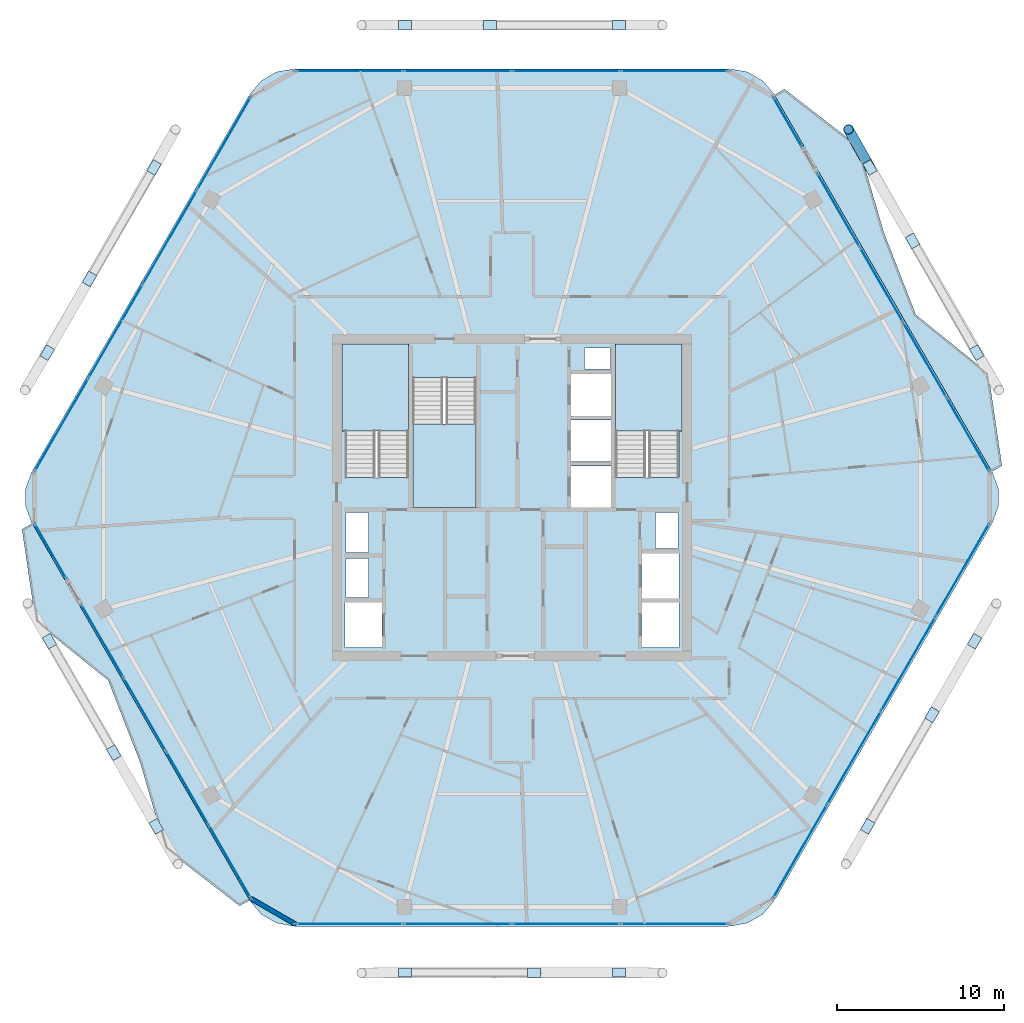
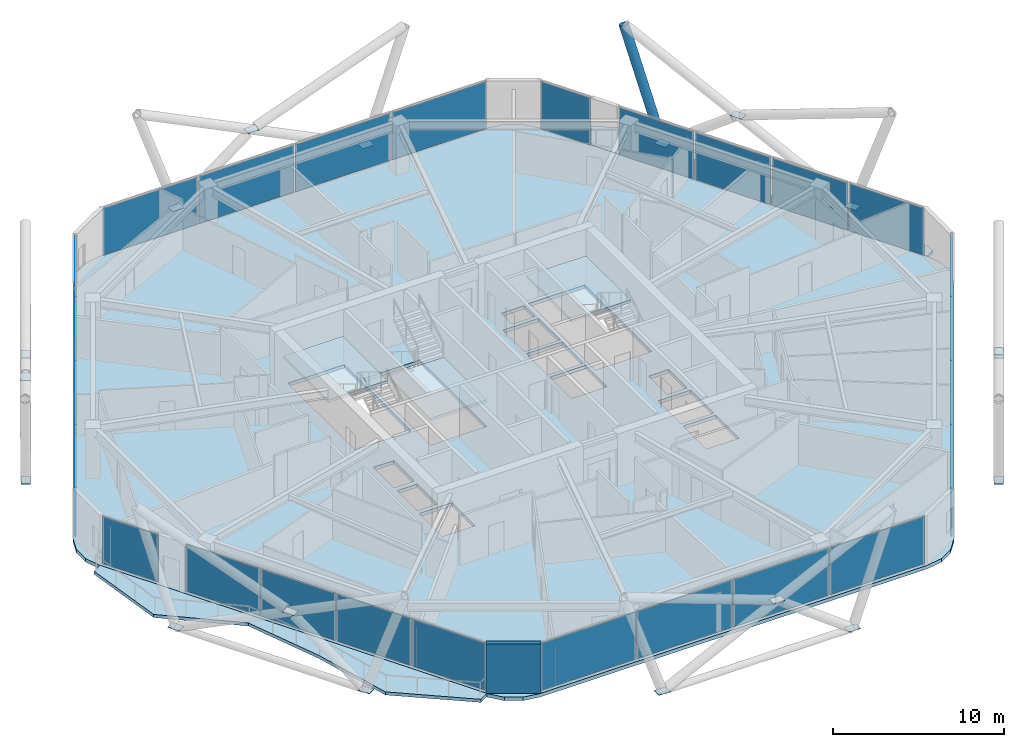
# One storey, part 19 of 27: 44 plates, 6 slabs, 1 member, 1 wall, 11 elements without a shape of their own.
"""IFC4 building model written with IfcOpenShell, lengths in metres."""

from ifc_helpers import new_model, si_unit, direction, frame, frame_2d, origin, origin_2d, place, context, subcontext, project, spatial, polyline, rectangle, hollow_circle, outline, extrude, material, layer, layer_set, material_profile, profile_set, type_object, element, aggregate, save


model = new_model("IFC4")

# Units and contexts
model_context = context("Model", 3, precision=1e-05, world=origin(), true_north=direction((0.0, 1.0)))
body_context = subcontext(model_context, "Body", "Model", "MODEL_VIEW")
ifc_project = project(units=[si_unit("LENGTHUNIT", "METRE"), si_unit("AREAUNIT", "SQUARE_METRE"), si_unit("VOLUMEUNIT", "CUBIC_METRE"), si_unit("PLANEANGLEUNIT", "RADIAN"), si_unit("MASSUNIT", "GRAM", prefix="KILO")], contexts=[model_context])

# Site, building, storey
site_placement = place(None, origin())
site = spatial("IfcSite", under=ifc_project, at=site_placement, CompositionType="ELEMENT")
building_placement = place(site_placement, origin())
building = spatial("IfcBuilding", under=site, at=building_placement, Name="Zuhravey Tower", CompositionType="ELEMENT")
storey_placement = place(building_placement, frame((0.0, 0.0, 238.800048828125)))
storey = spatial("IfcBuildingStorey", under=building, at=storey_placement, Name="L60", CompositionType="ELEMENT", Elevation=238.800048828125)

# Member
ifc_material_1 = material(Name="Steel SM355", Category="steel")
ifc_material_profile = material_profile(ifc_material_1, hollow_circle(Radius=0.3046875, WallThickness=0.028076171875, at=origin_2d()), Name="CHS-609.6x28")
ifc_profile_set = profile_set([ifc_material_profile], Name="Steel SM355")
member_type = type_object("IfcMemberType", Name="Exoskeleton Zone 3 Diagrid CHS610x28", PredefinedType="BRACE", material=ifc_profile_set)
member_placement = place(storey_placement, frame((57.451904296875, 51.79150390625, -0.446044921875), z_axis=(-0.159795415744, 0.28422652237, 0.945346872364), x_axis=(-0.871682978645, -0.490070183485, 0.0)))
element("IfcMember", 1, at=member_placement, inside=storey, type_object=member_type, Name="L60 Face 1 Diagrid Brace 4", PredefinedType="BRACE", context=body_context, shape_type="SweptSolid", body=[
    extrude(hollow_circle(Radius=0.3046875, WallThickness=0.028076171875, at=origin_2d()), origin(), (0.0, 0.0, 1.0), 8.001220703125),
])

# Plates
ifc_material_2 = material(Name="Steel SM460", Category="steel")
ifc_layer_1 = layer(ifc_material_2, 0.031982421875)
ifc_layer_set_1 = layer_set([ifc_layer_1], Name="Steel SM460")
plate_type_1 = type_object("IfcPlateType", Name="Exoskeleton Zone 3 Node Plate ND3", PredefinedType="SHEET", material=ifc_layer_set_1)
for number, where, z_axis, x_axis, name in (
    (2, (63.86279296875, 40.6875, -0.47998046875), (0.0, 0.0, 1.0), (-0.5, 0.866025403784, 0.0), "L60 Exoskeleton Node Gusset L60-01"),
    (3, (57.455078125, 51.785888671875, -0.47998046875), (0.0, 0.0, 1.0), (-0.5, 0.866025403784, 0.0), "L60 Exoskeleton Node Gusset L60-02"),
    (4, (42.40771484375, 60.323486328125, -0.47998046875), (0.0, 0.0, 1.0), (-1.0, 0.0, 0.0), "L60 Exoskeleton Node Gusset L60-03"),
    (5, (29.59228515625, 60.323486328125, -0.47998046875), (0.0, 0.0, 1.0), (-1.0, 0.0, 0.0), "L60 Exoskeleton Node Gusset L60-04"),
    (6, (14.544921875, 51.785888671875, -0.47998046875), (0.0, 0.0, 1.0), (-0.5, -0.866025403784, 0.0), "L60 Exoskeleton Node Gusset L60-05"),
    (7, (8.13720703125, 40.6875, -0.47998046875), (0.0, 0.0, 1.0), (-0.5, -0.866025403784, 0.0), "L60 Exoskeleton Node Gusset L60-06"),
    (8, (8.26708984375, 23.387451171875, -0.47998046875), (0.0, 0.0, 1.0), (0.5, -0.866025403784, 0.0), "L60 Exoskeleton Node Gusset L60-07"),
    (9, (14.6748046875, 12.2890625, -0.47998046875), (0.0, 0.0, 1.0), (0.5, -0.866025403784, 0.0), "L60 Exoskeleton Node Gusset L60-08"),
    (10, (29.59228515625, 3.5263671875, -0.47998046875), (0.0, 0.0, 1.0), (1.0, 0.0, 0.0), "L60 Exoskeleton Node Gusset L60-09"),
    (11, (42.40771484375, 3.5263671875, -0.47998046875), (0.0, 0.0, 1.0), (1.0, 0.0, 0.0), "L60 Exoskeleton Node Gusset L60-10"),
    (12, (57.3251953125, 12.2890625, -0.47998046875), (0.0, 0.0, 1.0), (0.5, 0.866025403784, 0.0), "L60 Exoskeleton Node Gusset L60-11"),
    (13, (63.73291015625, 23.387451171875, -0.47998046875), (0.0, 0.0, 1.0), (0.5, 0.866025403784, 0.0), "L60 Exoskeleton Node Gusset L60-12"),
    (14, (60.0166015625, 47.37939453125, 3.31982421875), (0.0, 0.0, 1.0), (-0.5, 0.866025403784, 0.0), "L60 Face 1 Diagrid X-Crossing Plate"),
    (15, (34.689208984375, 60.323486328125, 3.31982421875), (0.0, 0.0, 1.0), (-1.0, 0.0, 0.0), "L60 Face 2 Diagrid X-Crossing Plate"),
    (16, (10.6728515625, 45.109375, 3.31982421875), (0.0, 0.0, 1.0), (-0.5, -0.866025403784, 0.0), "L60 Face 3 Diagrid X-Crossing Plate"),
    (17, (12.12646484375, 16.703125, 3.31982421875), (0.0, 0.0, 1.0), (0.5, -0.866025403784, 0.0), "L60 Face 4 Diagrid X-Crossing Plate"),
    (18, (37.310791015625, 3.511474609375, 3.31982421875), (0.0, 0.0, 1.0), (1.0, 0.0, 0.0), "L60 Face 5 Diagrid X-Crossing Plate"),
    (19, (61.184326171875, 18.973388671875, 3.31982421875), (0.0, 0.0, 1.0), (0.5, 0.866025403784, 0.0), "L60 Face 6 Diagrid X-Crossing Plate"),
):
    element("IfcPlate", number, at=place(storey_placement, frame(where, z_axis=z_axis, x_axis=x_axis)), inside=storey, type_object=plate_type_1, Name=name, PredefinedType="SHEET", context=body_context, shape_type="SweptSolid", body=[
        extrude(rectangle(XDim=0.780029296875, YDim=0.56005859375, at=origin_2d()), origin(), (0.0, 0.0, 1.0), 0.031982421875),
    ])

# Slabs
ifc_material_3 = material(Name="Concrete C50/60", Category="concrete")
ifc_layer_2 = layer(ifc_material_3, 0.25)
ifc_layer_set_2 = layer_set([ifc_layer_2], Name="Concrete C50/60")
slab_type_1 = type_object("IfcSlabType", Name="Residential Acoustic Slab 250", PredefinedType="FLOOR", material=ifc_layer_set_2)
slab_1_placement = place(storey_placement, frame((0.0, 0.0, -0.25)))
element("IfcSlab", 20, at=slab_1_placement, inside=storey, type_object=slab_type_1, Name="L60 Floor Slab FS25", PredefinedType="FLOOR", context=body_context, shape_type="SweptSolid", body=[
    extrude(outline(polyline([(64.78515625, 30.449951171875), (65.1533203125, 31.461669921875), (65.1533203125, 32.538330078125), (64.78515625, 33.550048828125), (51.73486328125, 56.153564453125), (51.04296875, 56.978515625), (50.110595703125, 57.5166015625), (49.05029296875, 57.70361328125), (22.94970703125, 57.70361328125), (21.889404296875, 57.5166015625), (20.95703125, 56.978515625), (20.26513671875, 56.153564453125), (7.21484375, 33.550048828125), (6.8466796875, 32.538330078125), (6.8466796875, 31.461669921875), (7.21484375, 30.449951171875), (20.26513671875, 7.846435546875), (20.95703125, 7.021484375), (21.889404296875, 6.4833984375), (22.94970703125, 6.29638671875), (49.05029296875, 6.29638671875), (50.110595703125, 6.4833984375), (51.04296875, 7.021484375), (51.73486328125, 7.846435546875), (64.78515625, 30.449951171875)]), holes=[polyline([(29.800048828125, 33.20068359375), (29.800048828125, 41.0), (26.0, 41.0), (26.0, 33.20068359375), (29.800048828125, 33.20068359375)]), polyline([(46.0, 33.20068359375), (46.0, 41.0), (42.199951171875, 41.0), (42.199951171875, 33.20068359375), (46.0, 33.20068359375)]), polyline([(30.050048828125, 39.199462890625), (30.050048828125, 31.39990234375), (33.85009765625, 31.39990234375), (33.85009765625, 39.199462890625), (30.050048828125, 39.199462890625)]), polyline([(39.550048828125, 31.39990234375), (41.949951171875, 31.39990234375), (41.949951171875, 33.89990234375), (39.550048828125, 33.89990234375), (39.550048828125, 31.39990234375)]), polyline([(39.550048828125, 34.14990234375), (41.949951171875, 34.14990234375), (41.949951171875, 36.64990234375), (39.550048828125, 36.64990234375), (39.550048828125, 34.14990234375)]), polyline([(39.550048828125, 36.89990234375), (41.949951171875, 36.89990234375), (41.949951171875, 39.39990234375), (39.550048828125, 39.39990234375), (39.550048828125, 36.89990234375)]), polyline([(26.0, 23.0), (28.199951171875, 23.0), (28.199951171875, 25.699951171875), (26.0, 25.699951171875), (26.0, 23.0)]), polyline([(43.800048828125, 23.0), (46.0, 23.0), (46.0, 25.699951171875), (43.800048828125, 25.699951171875), (43.800048828125, 23.0)]), polyline([(43.800048828125, 25.949951171875), (46.0, 25.949951171875), (46.0, 28.64990234375), (43.800048828125, 28.64990234375), (43.800048828125, 25.949951171875)]), polyline([(26.050048828125, 26.0), (27.39990234375, 26.0), (27.39990234375, 28.35009765625), (26.050048828125, 28.35009765625), (26.050048828125, 26.0)]), polyline([(26.050048828125, 28.699951171875), (27.39990234375, 28.699951171875), (27.39990234375, 31.10009765625), (26.050048828125, 31.10009765625), (26.050048828125, 28.699951171875)]), polyline([(44.60009765625, 28.949951171875), (45.949951171875, 28.949951171875), (45.949951171875, 31.10009765625), (44.60009765625, 31.10009765625), (44.60009765625, 28.949951171875)]), polyline([(40.35009765625, 39.699951171875), (41.89990234375, 39.699951171875), (41.89990234375, 40.949951171875), (40.35009765625, 40.949951171875), (40.35009765625, 39.699951171875)])]), origin(), (0.0, 0.0, 1.0), 0.25),
])
ifc_material_4 = material(Name="Concrete C40/50", Category="concrete")
ifc_layer_3 = layer(ifc_material_4, 0.219970703125)
ifc_layer_set_3 = layer_set([ifc_layer_3], Name="Concrete C40/50")
slab_type_2 = type_object("IfcSlabType", Name="Sinusoidal Residential Wave Balcony 220", PredefinedType="FLOOR", material=ifc_layer_set_3)
slab_2_placement = place(storey_placement, frame((0.0, 0.0, -0.219970703125)))
element("IfcSlab", 21, at=slab_2_placement, inside=storey, type_object=slab_type_2, Name="L60 Face 1 Wave Balcony WB22", PredefinedType="FLOOR", context=body_context, shape_type="SweptSolid", body=[
    extrude(outline(polyline([(64.767822265625, 33.550048828125), (51.726318359375, 56.138671875), (52.33251953125, 56.488525390625), (56.787353515625, 53.037109375), (58.292236328125, 47.88232421875), (60.206298828125, 42.963623046875), (64.556396484375, 39.45166015625), (65.3740234375, 33.89990234375), (64.767822265625, 33.550048828125)])), origin(), (0.0, 0.0, 1.0), 0.219970703125),
])
slab_3_placement = place(storey_placement, frame((0.0, 0.0, -0.219970703125)))
element("IfcSlab", 22, at=slab_3_placement, inside=storey, type_object=slab_type_2, Name="L60 Face 4 Wave Balcony WB22", PredefinedType="FLOOR", context=body_context, shape_type="SweptSolid", body=[
    extrude(outline(polyline([(7.232177734375, 30.449951171875), (20.273681640625, 7.861328125), (19.66748046875, 7.511474609375), (15.212646484375, 10.962890625), (13.707763671875, 16.11767578125), (11.793701171875, 21.036376953125), (7.443603515625, 24.54833984375), (6.6259765625, 30.10009765625), (7.232177734375, 30.449951171875)])), origin(), (0.0, 0.0, 1.0), 0.219970703125),
])

# Stair, slab
stair_type = type_object("IfcStairType", Name="Housing Storey Stair Assembly 3800", PredefinedType="HALF_TURN_STAIR", material=ifc_material_4)
stair_1_placement = place(storey_placement, origin())
stair_1 = element("IfcStair", 23, at=stair_1_placement, inside=storey, type_object=stair_type, Name="L60 Core Exit Stair ST1", PredefinedType="HALF_TURN_STAIR")
ifc_layer_4 = layer(ifc_material_4, 0.199951171875)
ifc_layer_set_4 = layer_set([ifc_layer_4], Name="Concrete C40/50")
slab_type_3 = type_object("IfcSlabType", Name="Stair Landing Slab 200", PredefinedType="LANDING", material=ifc_layer_set_4)
slab_4_placement = place(storey_placement, frame((0.0, 0.0, 1.699951171875)))
slab_4 = element("IfcSlab", 24, at=slab_4_placement, type_object=slab_type_3, Name="ST1 landing 1", PredefinedType="LANDING", context=body_context, shape_type="SweptSolid", body=[
    extrude(outline(polyline([(29.800048828125, 36.0), (29.800048828125, 41.197998046875), (25.802001953125, 41.197998046875), (25.802001953125, 36.0), (29.800048828125, 36.0)])), origin(), (0.0, 0.0, 1.0), 0.199951171875),
])
aggregate(stair_1, [slab_4])

stair_2_placement = place(storey_placement, origin())
stair_2 = element("IfcStair", 25, at=stair_2_placement, inside=storey, type_object=stair_type, Name="L60 Core Exit Stair ST2", PredefinedType="HALF_TURN_STAIR")
slab_5_placement = place(storey_placement, frame((0.0, 0.0, 1.699951171875)))
slab_5 = element("IfcSlab", 26, at=slab_5_placement, type_object=slab_type_3, Name="ST2 landing 1", PredefinedType="LANDING", context=body_context, shape_type="SweptSolid", body=[
    extrude(outline(polyline([(46.197998046875, 36.0), (46.197998046875, 41.197998046875), (42.199951171875, 41.197998046875), (42.199951171875, 36.0), (46.197998046875, 36.0)])), origin(), (0.0, 0.0, 1.0), 0.199951171875),
])
aggregate(stair_2, [slab_5])

stair_3_placement = place(storey_placement, origin())
stair_3 = element("IfcStair", 27, at=stair_3_placement, inside=storey, type_object=stair_type, Name="L60 Core Exit Stair ST3", PredefinedType="HALF_TURN_STAIR")
slab_6_placement = place(storey_placement, frame((0.0, 0.0, 1.699951171875)))
slab_6 = element("IfcSlab", 28, at=slab_6_placement, type_object=slab_type_3, Name="ST3 landing 1", PredefinedType="LANDING", context=body_context, shape_type="SweptSolid", body=[
    extrude(outline(polyline([(30.050048828125, 36.39990234375), (30.050048828125, 31.39990234375), (33.85009765625, 31.39990234375), (33.85009765625, 36.39990234375), (30.050048828125, 36.39990234375)])), origin(), (0.0, 0.0, 1.0), 0.199951171875),
])
aggregate(stair_3, [slab_6])

# Curtain wall, plates
ifc_material_5 = material(Name="Thermally broken anodised aluminium", Category="aluminium")
curtain_wall_type = type_object("IfcCurtainWallType", Name="Zone 3-4 High-Rise Curtain Wall CW4", PredefinedType="NOTDEFINED", material=ifc_material_5)
curtain_wall_1_placement = place(storey_placement, origin())
curtain_wall_1 = element("IfcCurtainWall", 29, at=curtain_wall_1_placement, inside=storey, type_object=curtain_wall_type, Name="L60 CW4 CW-L60-F6-1", PredefinedType="NOTDEFINED")
ifc_material_6 = material(Name="Triple low-E insulated vision glass", Category="glass")
ifc_layer_5 = layer(ifc_material_6, 0.0419921875)
ifc_layer_set_5 = layer_set([ifc_layer_5], Name="Triple low-E insulated vision glass")
plate_type_2 = type_object("IfcPlateType", Name="Triple Low-E Vision Panel", PredefinedType="CURTAIN_PANEL", material=ifc_layer_set_5)
plate_1_placement = place(storey_placement, frame((63.00732421875, 27.650634765625, 0.08984375), z_axis=(0.0, 0.0, 1.0), x_axis=(-0.500000957414, -0.866024851021, 0.0)))
plate_1 = element("IfcPlate", 30, at=plate_1_placement, type_object=plate_type_2, Name="CW4 panel 1.1", PredefinedType="CURTAIN_PANEL", context=body_context, shape_type="SweptSolid", body=[
    extrude(rectangle(XDim=6.371337890625, YDim=0.0419921875, at=origin_2d()), origin(), (0.0, 0.0, 1.0), 3.3701171875),
])
plate_2_placement = place(storey_placement, frame((59.765380859375, 22.03564453125, 0.08984375), z_axis=(0.0, 0.0, 1.0), x_axis=(-0.500000957414, -0.866024851021, 0.0)))
plate_2 = element("IfcPlate", 31, at=plate_2_placement, type_object=plate_type_2, Name="CW4 panel 2.1", PredefinedType="CURTAIN_PANEL", context=body_context, shape_type="SweptSolid", body=[
    extrude(rectangle(XDim=6.416259765625, YDim=0.0419921875, at=origin_2d()), origin(), (0.0, 0.0, 1.0), 3.3701171875),
])
plate_3_placement = place(storey_placement, frame((56.51220703125, 16.40087890625, 0.08984375), z_axis=(0.0, 0.0, 1.0), x_axis=(-0.500000957414, -0.866024851021, 0.0)))
plate_3 = element("IfcPlate", 32, at=plate_3_placement, type_object=plate_type_2, Name="CW4 panel 3.1", PredefinedType="CURTAIN_PANEL", context=body_context, shape_type="SweptSolid", body=[
    extrude(rectangle(XDim=6.416259765625, YDim=0.0419921875, at=origin_2d()), origin(), (0.0, 0.0, 1.0), 3.3701171875),
])
plate_4_placement = place(storey_placement, frame((53.270263671875, 10.78564453125, 0.08984375), z_axis=(0.0, 0.0, 1.0), x_axis=(-0.500000957414, -0.866024851021, 0.0)))
plate_4 = element("IfcPlate", 33, at=plate_4_placement, type_object=plate_type_2, Name="CW4 panel 4.1", PredefinedType="CURTAIN_PANEL", context=body_context, shape_type="SweptSolid", body=[
    extrude(rectangle(XDim=6.371337890625, YDim=0.0419921875, at=origin_2d()), origin(), (0.0, 0.0, 1.0), 3.3701171875),
])
aggregate(curtain_wall_1, [plate_1, plate_2, plate_3, plate_4])

curtain_wall_2_placement = place(storey_placement, origin())
curtain_wall_2 = element("IfcCurtainWall", 34, at=curtain_wall_2_placement, inside=storey, type_object=curtain_wall_type, Name="L60 CW4 CW-L60-F5-1", PredefinedType="NOTDEFINED")
plate_5_placement = place(storey_placement, frame((45.737060546875, 6.436279296875, 0.08984375), z_axis=(0.0, 0.0, 1.0), x_axis=(-1.0, 0.0, 0.0)))
plate_5 = element("IfcPlate", 35, at=plate_5_placement, type_object=plate_type_2, Name="CW4 panel 1.1", PredefinedType="CURTAIN_PANEL", context=body_context, shape_type="SweptSolid", body=[
    extrude(rectangle(XDim=6.371337890625, YDim=0.0419921875, at=origin_2d()), origin(), (0.0, 0.0, 1.0), 3.3701171875),
])
plate_6_placement = place(storey_placement, frame((39.253173828125, 6.436279296875, 0.08984375), z_axis=(0.0, 0.0, 1.0), x_axis=(-1.0, 0.0, 0.0)))
plate_6 = element("IfcPlate", 36, at=plate_6_placement, type_object=plate_type_2, Name="CW4 panel 2.1", PredefinedType="CURTAIN_PANEL", context=body_context, shape_type="SweptSolid", body=[
    extrude(rectangle(XDim=6.416259765625, YDim=0.0419921875, at=origin_2d()), origin(), (0.0, 0.0, 1.0), 3.3701171875),
])
plate_7_placement = place(storey_placement, frame((32.746826171875, 6.436279296875, 0.08984375), z_axis=(0.0, 0.0, 1.0), x_axis=(-1.0, 0.0, 0.0)))
plate_7 = element("IfcPlate", 37, at=plate_7_placement, type_object=plate_type_2, Name="CW4 panel 3.1", PredefinedType="CURTAIN_PANEL", context=body_context, shape_type="SweptSolid", body=[
    extrude(rectangle(XDim=6.416259765625, YDim=0.0419921875, at=origin_2d()), origin(), (0.0, 0.0, 1.0), 3.3701171875),
])
plate_8_placement = place(storey_placement, frame((26.262939453125, 6.436279296875, 0.08984375), z_axis=(0.0, 0.0, 1.0), x_axis=(-1.0, 0.0, 0.0)))
plate_8 = element("IfcPlate", 38, at=plate_8_placement, type_object=plate_type_2, Name="CW4 panel 4.1", PredefinedType="CURTAIN_PANEL", context=body_context, shape_type="SweptSolid", body=[
    extrude(rectangle(XDim=6.371337890625, YDim=0.0419921875, at=origin_2d()), origin(), (0.0, 0.0, 1.0), 3.3701171875),
])
aggregate(curtain_wall_2, [plate_5, plate_6, plate_7, plate_8])

curtain_wall_3_placement = place(storey_placement, origin())
curtain_wall_3 = element("IfcCurtainWall", 39, at=curtain_wall_3_placement, inside=storey, type_object=curtain_wall_type, Name="L60 CW4 CW-L60-F4-1", PredefinedType="NOTDEFINED")
plate_9_placement = place(storey_placement, frame((19.08154296875, 10.176513671875, 0.08984375), z_axis=(0.0, 0.0, 1.0), x_axis=(-0.50000224592, 0.866024107098, 0.0)))
plate_9 = element("IfcPlate", 40, at=plate_9_placement, type_object=plate_type_2, Name="CW4 panel 1.1", PredefinedType="CURTAIN_PANEL", context=body_context, shape_type="SweptSolid", body=[
    extrude(rectangle(XDim=4.964599609375, YDim=0.0419921875, at=origin_2d()), origin(), (0.0, 0.0, 1.0), 3.3701171875),
])
plate_10_placement = place(storey_placement, frame((16.54296875, 14.573486328125, 0.08984375), z_axis=(0.0, 0.0, 1.0), x_axis=(-0.50000224592, 0.866024107098, 0.0)))
plate_10 = element("IfcPlate", 41, at=plate_10_placement, type_object=plate_type_2, Name="CW4 panel 2.1", PredefinedType="CURTAIN_PANEL", context=body_context, shape_type="SweptSolid", body=[
    extrude(rectangle(XDim=5.009521484375, YDim=0.0419921875, at=origin_2d()), origin(), (0.0, 0.0, 1.0), 3.3701171875),
])
plate_11_placement = place(storey_placement, frame((13.992919921875, 18.989990234375, 0.08984375), z_axis=(0.0, 0.0, 1.0), x_axis=(-0.50000224592, 0.866024107098, 0.0)))
plate_11 = element("IfcPlate", 42, at=plate_11_placement, type_object=plate_type_2, Name="CW4 panel 3.1", PredefinedType="CURTAIN_PANEL", context=body_context, shape_type="SweptSolid", body=[
    extrude(rectangle(XDim=5.009521484375, YDim=0.0419921875, at=origin_2d()), origin(), (0.0, 0.0, 1.0), 3.3701171875),
])
plate_12_placement = place(storey_placement, frame((11.454345703125, 23.38671875, 0.08984375), z_axis=(0.0, 0.0, 1.0), x_axis=(-0.50000224592, 0.866024107098, 0.0)))
plate_12 = element("IfcPlate", 43, at=plate_12_placement, type_object=plate_type_2, Name="CW4 panel 4.1", PredefinedType="CURTAIN_PANEL", context=body_context, shape_type="SweptSolid", body=[
    extrude(rectangle(XDim=4.964599609375, YDim=0.0419921875, at=origin_2d()), origin(), (0.0, 0.0, 1.0), 3.3701171875),
])
aggregate(curtain_wall_3, [plate_9, plate_10, plate_11, plate_12])

# Curtain wall, plate
curtain_wall_4_placement = place(storey_placement, origin())
curtain_wall_4 = element("IfcCurtainWall", 44, at=curtain_wall_4_placement, inside=storey, type_object=curtain_wall_type, Name="L60 CW4 CW-L60-F4-2", PredefinedType="NOTDEFINED")
plate_13_placement = place(storey_placement, frame((8.336669921875, 28.787109375, 0.08984375), z_axis=(0.0, 0.0, 1.0), x_axis=(-0.500000943432, 0.866024859093, 0.0)))
plate_13 = element("IfcPlate", 45, at=plate_13_placement, type_object=plate_type_2, Name="CW4 panel 1.1", PredefinedType="CURTAIN_PANEL", context=body_context, shape_type="SweptSolid", body=[
    extrude(rectangle(XDim=3.746826171875, YDim=0.0419921875, at=origin_2d()), origin(), (0.0, 0.0, 1.0), 3.3701171875),
])
aggregate(curtain_wall_4, [plate_13])

# Curtain wall, plates
curtain_wall_5_placement = place(storey_placement, origin())
curtain_wall_5 = element("IfcCurtainWall", 46, at=curtain_wall_5_placement, inside=storey, type_object=curtain_wall_type, Name="L60 CW4 CW-L60-F3-1", PredefinedType="NOTDEFINED")
plate_14_placement = place(storey_placement, frame((8.99267578125, 36.349365234375, 0.08984375), z_axis=(0.0, 0.0, 1.0), x_axis=(0.500000957414, 0.866024851021, 0.0)))
plate_14 = element("IfcPlate", 47, at=plate_14_placement, type_object=plate_type_2, Name="CW4 panel 1.1", PredefinedType="CURTAIN_PANEL", context=body_context, shape_type="SweptSolid", body=[
    extrude(rectangle(XDim=6.371337890625, YDim=0.0419921875, at=origin_2d()), origin(), (0.0, 0.0, 1.0), 3.3701171875),
])
plate_15_placement = place(storey_placement, frame((12.234619140625, 41.96435546875, 0.08984375), z_axis=(0.0, 0.0, 1.0), x_axis=(0.500000957414, 0.866024851021, 0.0)))
plate_15 = element("IfcPlate", 48, at=plate_15_placement, type_object=plate_type_2, Name="CW4 panel 2.1", PredefinedType="CURTAIN_PANEL", context=body_context, shape_type="SweptSolid", body=[
    extrude(rectangle(XDim=6.416259765625, YDim=0.0419921875, at=origin_2d()), origin(), (0.0, 0.0, 1.0), 3.3701171875),
])
plate_16_placement = place(storey_placement, frame((15.48779296875, 47.59912109375, 0.08984375), z_axis=(0.0, 0.0, 1.0), x_axis=(0.500000957414, 0.866024851021, 0.0)))
plate_16 = element("IfcPlate", 49, at=plate_16_placement, type_object=plate_type_2, Name="CW4 panel 3.1", PredefinedType="CURTAIN_PANEL", context=body_context, shape_type="SweptSolid", body=[
    extrude(rectangle(XDim=6.416259765625, YDim=0.0419921875, at=origin_2d()), origin(), (0.0, 0.0, 1.0), 3.3701171875),
])
plate_17_placement = place(storey_placement, frame((18.729736328125, 53.21435546875, 0.08984375), z_axis=(0.0, 0.0, 1.0), x_axis=(0.500000957414, 0.866024851021, 0.0)))
plate_17 = element("IfcPlate", 50, at=plate_17_placement, type_object=plate_type_2, Name="CW4 panel 4.1", PredefinedType="CURTAIN_PANEL", context=body_context, shape_type="SweptSolid", body=[
    extrude(rectangle(XDim=6.371337890625, YDim=0.0419921875, at=origin_2d()), origin(), (0.0, 0.0, 1.0), 3.3701171875),
])
aggregate(curtain_wall_5, [plate_14, plate_15, plate_16, plate_17])

curtain_wall_6_placement = place(storey_placement, origin())
curtain_wall_6 = element("IfcCurtainWall", 51, at=curtain_wall_6_placement, inside=storey, type_object=curtain_wall_type, Name="L60 CW4 CW-L60-F2-1", PredefinedType="NOTDEFINED")
plate_18_placement = place(storey_placement, frame((26.262939453125, 57.563720703125, 0.08984375), z_axis=(0.0, 0.0, 1.0), x_axis=(1.0, 0.0, 0.0)))
plate_18 = element("IfcPlate", 52, at=plate_18_placement, type_object=plate_type_2, Name="CW4 panel 1.1", PredefinedType="CURTAIN_PANEL", context=body_context, shape_type="SweptSolid", body=[
    extrude(rectangle(XDim=6.371337890625, YDim=0.0419921875, at=origin_2d()), origin(), (0.0, 0.0, 1.0), 3.3701171875),
])
plate_19_placement = place(storey_placement, frame((32.746826171875, 57.563720703125, 0.08984375), z_axis=(0.0, 0.0, 1.0), x_axis=(1.0, 0.0, 0.0)))
plate_19 = element("IfcPlate", 53, at=plate_19_placement, type_object=plate_type_2, Name="CW4 panel 2.1", PredefinedType="CURTAIN_PANEL", context=body_context, shape_type="SweptSolid", body=[
    extrude(rectangle(XDim=6.416259765625, YDim=0.0419921875, at=origin_2d()), origin(), (0.0, 0.0, 1.0), 3.3701171875),
])
plate_20_placement = place(storey_placement, frame((39.253173828125, 57.563720703125, 0.08984375), z_axis=(0.0, 0.0, 1.0), x_axis=(1.0, 0.0, 0.0)))
plate_20 = element("IfcPlate", 54, at=plate_20_placement, type_object=plate_type_2, Name="CW4 panel 3.1", PredefinedType="CURTAIN_PANEL", context=body_context, shape_type="SweptSolid", body=[
    extrude(rectangle(XDim=6.416259765625, YDim=0.0419921875, at=origin_2d()), origin(), (0.0, 0.0, 1.0), 3.3701171875),
])
plate_21_placement = place(storey_placement, frame((45.737060546875, 57.563720703125, 0.08984375), z_axis=(0.0, 0.0, 1.0), x_axis=(1.0, 0.0, 0.0)))
plate_21 = element("IfcPlate", 55, at=plate_21_placement, type_object=plate_type_2, Name="CW4 panel 4.1", PredefinedType="CURTAIN_PANEL", context=body_context, shape_type="SweptSolid", body=[
    extrude(rectangle(XDim=6.371337890625, YDim=0.0419921875, at=origin_2d()), origin(), (0.0, 0.0, 1.0), 3.3701171875),
])
aggregate(curtain_wall_6, [plate_18, plate_19, plate_20, plate_21])

# Curtain wall, plate
curtain_wall_7_placement = place(storey_placement, origin())
curtain_wall_7 = element("IfcCurtainWall", 56, at=curtain_wall_7_placement, inside=storey, type_object=curtain_wall_type, Name="L60 CW4 CW-L60-F1-1", PredefinedType="NOTDEFINED")
plate_22_placement = place(storey_placement, frame((52.524169921875, 54.506591796875, 0.08984375), z_axis=(0.0, 0.0, 1.0), x_axis=(0.50000153142, -0.866024519617, 0.0)))
plate_22 = element("IfcPlate", 57, at=plate_22_placement, type_object=plate_type_2, Name="CW4 panel 1.1", PredefinedType="CURTAIN_PANEL", context=body_context, shape_type="SweptSolid", body=[
    extrude(rectangle(XDim=3.386962890625, YDim=0.0419921875, at=origin_2d()), origin(), (0.0, 0.0, 1.0), 3.3701171875),
])
aggregate(curtain_wall_7, [plate_22])

# Curtain wall, plates
curtain_wall_8_placement = place(storey_placement, origin())
curtain_wall_8 = element("IfcCurtainWall", 58, at=curtain_wall_8_placement, inside=storey, type_object=curtain_wall_type, Name="L60 CW4 CW-L60-F1-2", PredefinedType="NOTDEFINED")
plate_23_placement = place(storey_placement, frame((55.574462890625, 49.22314453125, 0.08984375), z_axis=(0.0, 0.0, 1.0), x_axis=(0.50000212231, -0.866024178465, 0.0)))
plate_23 = element("IfcPlate", 59, at=plate_23_placement, type_object=plate_type_2, Name="CW4 panel 1.1", PredefinedType="CURTAIN_PANEL", context=body_context, shape_type="SweptSolid", body=[
    extrude(rectangle(XDim=5.0546875, YDim=0.0419921875, at=origin_2d()), origin(), (0.0, 0.0, 1.0), 3.3701171875),
])
plate_24_placement = place(storey_placement, frame((58.158203125, 44.748291015625, 0.08984375), z_axis=(0.0, 0.0, 1.0), x_axis=(0.50000212231, -0.866024178465, 0.0)))
plate_24 = element("IfcPlate", 60, at=plate_24_placement, type_object=plate_type_2, Name="CW4 panel 2.1", PredefinedType="CURTAIN_PANEL", context=body_context, shape_type="SweptSolid", body=[
    extrude(rectangle(XDim=5.099609375, YDim=0.0419921875, at=origin_2d()), origin(), (0.0, 0.0, 1.0), 3.3701171875),
])
plate_25_placement = place(storey_placement, frame((60.7529296875, 40.25390625, 0.08984375), z_axis=(0.0, 0.0, 1.0), x_axis=(0.50000212231, -0.866024178465, 0.0)))
plate_25 = element("IfcPlate", 61, at=plate_25_placement, type_object=plate_type_2, Name="CW4 panel 3.1", PredefinedType="CURTAIN_PANEL", context=body_context, shape_type="SweptSolid", body=[
    extrude(rectangle(XDim=5.099609375, YDim=0.0419921875, at=origin_2d()), origin(), (0.0, 0.0, 1.0), 3.3701171875),
])
plate_26_placement = place(storey_placement, frame((63.33642578125, 35.779052734375, 0.08984375), z_axis=(0.0, 0.0, 1.0), x_axis=(0.50000212231, -0.866024178465, 0.0)))
plate_26 = element("IfcPlate", 62, at=plate_26_placement, type_object=plate_type_2, Name="CW4 panel 4.1", PredefinedType="CURTAIN_PANEL", context=body_context, shape_type="SweptSolid", body=[
    extrude(rectangle(XDim=5.0546875, YDim=0.0419921875, at=origin_2d()), origin(), (0.0, 0.0, 1.0), 3.3701171875),
])
aggregate(curtain_wall_8, [plate_23, plate_24, plate_25, plate_26])

# Wall
ifc_material_7 = material(Name="Precast concrete C40/50", Category="concrete")
ifc_layer_6 = layer(ifc_material_7, 0.280029296875)
ifc_layer_set_6 = layer_set([ifc_layer_6], Name="Precast concrete C40/50")
wall_type = type_object("IfcWallType", Name="Crown Architectural Wall 280", PredefinedType="SOLIDWALL", material=ifc_layer_set_6)
wall_placement = place(storey_placement, frame((23.069580078125, 6.388916015625, 0.0), z_axis=(0.0, 0.0, 1.0), x_axis=(-0.866028773314, 0.499994163758, 0.0)))
element("IfcWall", 63, at=wall_placement, inside=storey, type_object=wall_type, Name="L60 Rounded Corner Closure Wall EW28-04", PredefinedType="SOLIDWALL", context=body_context, shape_type="SweptSolid", body=[
    extrude(rectangle(XDim=3.21484375, YDim=0.280029296875, at=frame_2d((1.607421875, 0.0))), origin(), (0.0, 0.0, 1.0), 3.550048828125),
])

save(model, "model.ifc")
